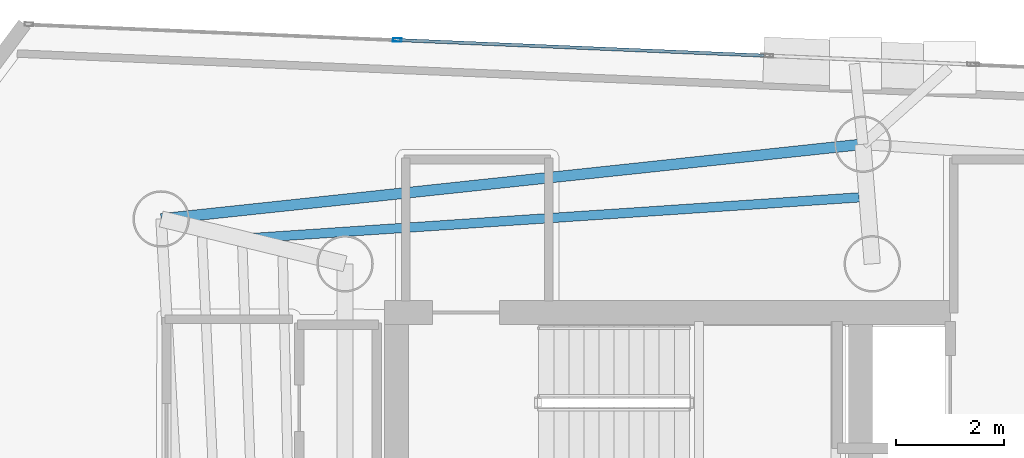
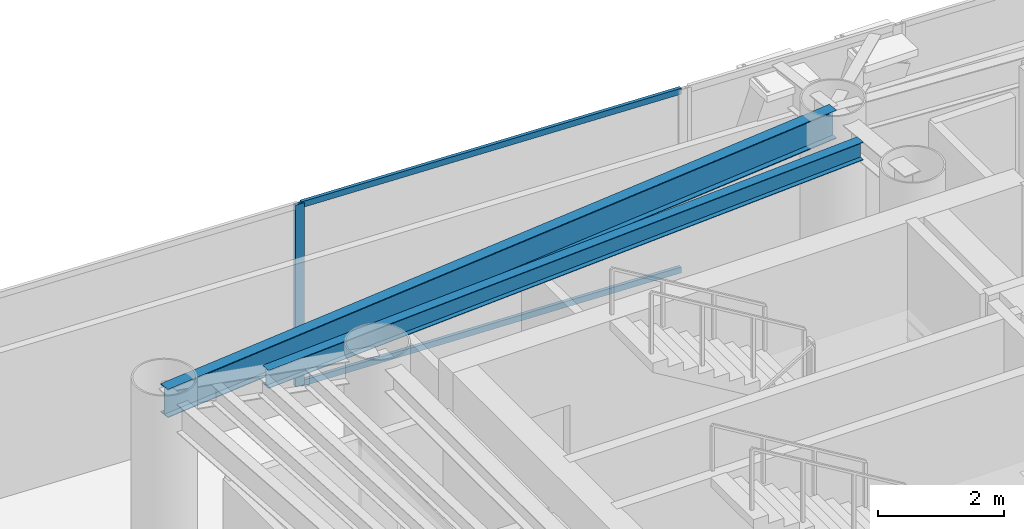
# One storey, part 9 of 21: 3 members, 2 beams, 1 element without a shape of its own.
"""IFC4 building model written with IfcOpenShell, lengths in metres."""

import ifcopenshell
import ifcopenshell.guid

model = None  # the IFC model being written
_history = None  # IfcOwnerHistory: only IFC2X3 demands one
_inside = {}  # id of a spatial element -> (the spatial element, [elements in it])
_under = {}  # id of a project, library or spatial element -> (it, [spatial elements below it])
_declared = {}  # id of a project -> (the project, [libraries it declares])
_typed = {}  # id of a type object -> (the type object, [elements of that type])
_made_of = {}  # id of a material, layer set ... -> (it, [elements and type objects made of it])


def new_model(schema):
    """Start an empty IFC model of exactly this schema.

    Asked for "IFC4X3", IfcOpenShell would pick the latest addendum, in which some entities
    have other attributes; the version numbers below select the first issue.
    IFC2X3 requires an IfcOwnerHistory on every rooted entity: one is made here for all.
    """
    global model, _history
    if schema == "IFC4X3":
        model = ifcopenshell.file(schema_version=(4, 3, 0, 0))
    else:
        model = ifcopenshell.file(schema=schema)
    _inside.clear()
    _under.clear()
    _declared.clear()
    _typed.clear()
    _made_of.clear()
    _history = None
    if model.schema == "IFC2X3":
        org = make("IfcOrganization", Name="unknown")
        user = make(
            "IfcPersonAndOrganization",
            ThePerson=make("IfcPerson", FamilyName="unknown"),
            TheOrganization=org,
        )
        app = make(
            "IfcApplication",
            ApplicationDeveloper=org,
            Version="unknown",
            ApplicationFullName="unknown",
            ApplicationIdentifier="unknown",
        )
        _history = make(
            "IfcOwnerHistory",
            OwningUser=user,
            OwningApplication=app,
            ChangeAction="ADDED",
            CreationDate=0,
        )
    return model


def make(cls, **values):
    """One entity of the class cls with the attributes given. An attribute that is None is left unset."""
    return model.create_entity(
        cls, **{name: value for name, value in values.items() if value is not None}
    )


def rooted(cls, **values):
    """An entity with a GlobalId (a new one), such as an element, a storey or a relation."""
    return make(cls, GlobalId=ifcopenshell.guid.new(), OwnerHistory=_history, **values)


def si_unit(unit_type, name, prefix=None):
    """IfcSIUnit, for example si_unit("LENGTHUNIT", "METRE", prefix="MILLI")."""
    return make("IfcSIUnit", UnitType=unit_type, Prefix=prefix, Name=name)


def assignment(units):
    """IfcUnitAssignment: the units of a project."""
    return None if units is None else make("IfcUnitAssignment", Units=units)


def point(xyz):
    """IfcCartesianPoint."""
    return None if xyz is None else make("IfcCartesianPoint", Coordinates=xyz)


def direction(xyz):
    """IfcDirection."""
    return None if xyz is None else make("IfcDirection", DirectionRatios=xyz)


def frame(location, z_axis=None, x_axis=None):
    """IfcAxis2Placement3D, a coordinate frame: its origin and axes. An axis left out is left unset."""
    return make(
        "IfcAxis2Placement3D",
        Location=point(location),
        Axis=direction(z_axis),
        RefDirection=direction(x_axis),
    )


def frame_2d(location, x_axis=None):
    """IfcAxis2Placement2D, a coordinate frame in the plane: its origin and x axis."""
    return make(
        "IfcAxis2Placement2D", Location=point(location), RefDirection=direction(x_axis)
    )


def origin():
    """The frame at (0, 0, 0) with its axes left unset."""
    return frame((0.0, 0.0, 0.0))


def origin_2d():
    """The frame at (0, 0) in the plane with its x axis left unset."""
    return frame_2d((0.0, 0.0))


def place(relative_to, where):
    """IfcLocalPlacement: puts the frame where relative to a parent placement (None: the world)."""
    return make(
        "IfcLocalPlacement", PlacementRelTo=relative_to, RelativePlacement=where
    )


def context(
    kind, dimensions, precision=None, world=None, true_north=None, identifier=None
):
    """IfcGeometricRepresentationContext, for example the 3D "Model" context."""
    return make(
        "IfcGeometricRepresentationContext",
        ContextIdentifier=identifier,
        ContextType=kind,
        CoordinateSpaceDimension=dimensions,
        Precision=precision,
        WorldCoordinateSystem=world,
        TrueNorth=true_north,
    )


def subcontext(parent, identifier, kind, view, scale=None):
    """IfcGeometricRepresentationSubContext, for example "Body" below "Model"."""
    return make(
        "IfcGeometricRepresentationSubContext",
        ContextIdentifier=identifier,
        ContextType=kind,
        ParentContext=parent,
        TargetScale=scale,
        TargetView=view,
    )


def project(units=None, contexts=None):
    """IfcProject with its units and contexts."""
    return rooted(
        "IfcProject",
        Name="project",
        RepresentationContexts=contexts,
        UnitsInContext=assignment(units),
    )


def spatial(cls, under=None, at=None, **own):
    """A site, building, storey or space (cls), placed at a placement, below another one or the project."""
    s = rooted(cls, ObjectPlacement=at, **own)
    if under is not None:
        _under.setdefault(under.id(), (under, []))[1].append(s)
    return s


def profile(cls, at=None, kind="AREA", **sizes):
    """A parametric profile (cls). Its sizes go by their IFC names, for example OverallWidth=200.0."""
    return make(cls, ProfileType=kind, Position=at, **sizes)


def hollow_rectangle(**sizes):
    """IfcRectangleHollowProfileDef."""
    return profile("IfcRectangleHollowProfileDef", **sizes)


def i_section(**sizes):
    """IfcIShapeProfileDef."""
    return profile("IfcIShapeProfileDef", **sizes)


def extrude(swept, where, along, depth):
    """IfcExtrudedAreaSolid: the profile swept, set in the frame where, extruded along a direction by depth."""
    return make(
        "IfcExtrudedAreaSolid",
        SweptArea=swept,
        Position=where,
        ExtrudedDirection=direction(along),
        Depth=depth,
    )


def shape(context_of_items, identifier, shape_type, items):
    """IfcShapeRepresentation: the items that make up one representation, for example the "Body"."""
    return make(
        "IfcShapeRepresentation",
        ContextOfItems=context_of_items,
        RepresentationIdentifier=identifier,
        RepresentationType=shape_type,
        Items=items,
    )


def material(Name=None, Category=None):
    """IfcMaterial."""
    return make("IfcMaterial", Name=Name, Category=Category)


def layer(
    of_material, thickness, ventilated=None, Name=None, Category=None, Priority=None
):
    """IfcMaterialLayer: one layer of a wall or slab, of a material (None: an air gap)."""
    return make(
        "IfcMaterialLayer",
        Material=of_material,
        LayerThickness=thickness,
        IsVentilated=ventilated,
        Name=Name,
        Category=Category,
        Priority=Priority,
    )


def layer_set(layers, Name=None):
    """IfcMaterialLayerSet."""
    return make("IfcMaterialLayerSet", MaterialLayers=layers, LayerSetName=Name)


def material_profile(
    of_material, cross_section, Name=None, Category=None, Priority=None
):
    """IfcMaterialProfile: a cross section and its material."""
    return make(
        "IfcMaterialProfile",
        Name=Name,
        Material=of_material,
        Profile=cross_section,
        Priority=Priority,
        Category=Category,
    )


def profile_set(profiles, Name=None, composite=None):
    """IfcMaterialProfileSet."""
    return make(
        "IfcMaterialProfileSet",
        Name=Name,
        MaterialProfiles=profiles,
        CompositeProfile=composite,
    )


def made_of(thing, what):
    """Note that an element or type object is made of a material, layer set ...; save() writes the relation."""
    if what is not None:
        _made_of.setdefault(what.id(), (what, []))[1].append(thing)
    return thing


def type_object(cls, material=None, **own):
    """A type object (cls), such as IfcWallType, which elements share."""
    return made_of(rooted(cls, **own), material)


def element(
    cls,
    number,
    at=None,
    inside=None,
    cuts=None,
    type_object=None,
    material=None,
    context=None,
    identifier="Body",
    shape_type=None,
    held_by="IfcProductDefinitionShape",
    body=None,
    shapes=None,
    **own,
):
    """One element of the class cls, such as IfcWall. Its Tag is "e" and its number.

    at: its placement. inside: the storey or other place that contains it. cuts: it is an
    opening in that element (IfcRelVoidsElement). A single representation is given by context,
    identifier, shape_type and body (its items); several are given by shapes. held_by: the class
    of the entity that holds the representations. save() writes the other relations.
    """
    e = rooted(cls, Tag="e%d" % number, ObjectPlacement=at, **own)
    if body is not None:
        shapes = [shape(context, identifier, shape_type, body)]
    if shapes is not None:
        e.Representation = make(held_by, Representations=shapes)
    if inside is not None:
        _inside.setdefault(inside.id(), (inside, []))[1].append(e)
    if cuts is not None:
        rooted(
            "IfcRelVoidsElement", RelatingBuildingElement=cuts, RelatedOpeningElement=e
        )
    if type_object is not None:
        _typed.setdefault(type_object.id(), (type_object, []))[1].append(e)
    return made_of(e, material)


def aggregate(whole, parts):
    """IfcRelAggregates: a whole, such as a stair, and the parts it consists of."""
    return rooted("IfcRelAggregates", RelatingObject=whole, RelatedObjects=parts)


def save(model, path):
    """Write the relations noted so far, then the file.

    IfcRelAggregates (storeys below a building ...), IfcRelContainedInSpatialStructure (elements
    in a storey), IfcRelDefinesByType, IfcRelAssociatesMaterial and IfcRelDeclares: one each for
    every whole, place, type object, material and project.
    """
    for whole, parts in _under.values():
        aggregate(whole, parts)
    for where, things in _inside.values():
        rooted(
            "IfcRelContainedInSpatialStructure",
            RelatedElements=things,
            RelatingStructure=where,
        )
    for kind, things in _typed.values():
        rooted("IfcRelDefinesByType", RelatedObjects=things, RelatingType=kind)
    for what, things in _made_of.values():
        rooted("IfcRelAssociatesMaterial", RelatedObjects=things, RelatingMaterial=what)
    for by, libraries in _declared.values():
        rooted("IfcRelDeclares", RelatingContext=by, RelatedDefinitions=libraries)
    model.write(path)


model = new_model("IFC4")

# Units and contexts
model_context = context("Model", 3, precision=1e-05, world=origin(), true_north=direction((0.0, 1.0)))
body_context = subcontext(model_context, "Body", "Model", "MODEL_VIEW")
ifc_project = project(units=[si_unit("LENGTHUNIT", "METRE"), si_unit("AREAUNIT", "SQUARE_METRE"), si_unit("VOLUMEUNIT", "CUBIC_METRE"), si_unit("PLANEANGLEUNIT", "RADIAN"), si_unit("MASSUNIT", "GRAM", prefix="KILO")], contexts=[model_context])

# Site, building, storey
site_placement = place(None, origin())
site = spatial("IfcSite", under=ifc_project, at=site_placement, CompositionType="ELEMENT")
building_placement = place(site_placement, origin())
building = spatial("IfcBuilding", under=site, at=building_placement, Name="Qianvela Tower", CompositionType="ELEMENT")
storey_placement = place(building_placement, frame((0.0, 0.0, 242.699951171875)))
storey = spatial("IfcBuildingStorey", under=building, at=storey_placement, Name="L62", CompositionType="ELEMENT", Elevation=242.699951171875)

# Beams
ifc_material_1 = material(Name="Steel Q355B", Category="steel")
ifc_material_profile_1 = material_profile(ifc_material_1, i_section(OverallWidth=0.175048828125, OverallDepth=0.35009765625, WebThickness=0.007080078125, FlangeThickness=0.010986328125, at=origin_2d()), Name="HN350x175x7x11")
ifc_profile_set_1 = profile_set([ifc_material_profile_1], Name="Steel Q355B")
beam_type_1 = type_object("IfcBeamType", Name="BM-HN350-JOIST", PredefinedType="JOIST", material=ifc_profile_set_1)
beam_1_placement = place(storey_placement, frame((38.15625, 34.78515625, 3.343017578125), z_axis=(-0.99776569919, -0.066810250112, 0.0), x_axis=(0.066810250112, -0.99776569919, 0.0)))
element("IfcBeam", 1, at=beam_1_placement, inside=storey, type_object=beam_type_1, Name="L62 Secondary Composite Floor Joist 2.2", PredefinedType="JOIST", context=body_context, shape_type="SweptSolid", body=[
    extrude(i_section(OverallWidth=0.175048828125, OverallDepth=0.35009765625, WebThickness=0.007080078125, FlangeThickness=0.010986328125, at=origin_2d()), origin(), (0.0, 0.0, 1.0), 11.35009765625),
])
ifc_material_2 = material(Name="Steel Q355B", Category="steel")
ifc_material_profile_2 = material_profile(ifc_material_2, i_section(OverallWidth=0.199951171875, OverallDepth=0.550048828125, WebThickness=0.010009765625, FlangeThickness=0.01611328125, at=origin_2d()), Name="HN550x200x10x16")
ifc_profile_set_2 = profile_set([ifc_material_profile_2], Name="Steel Q355B")
beam_type_2 = type_object("IfcBeamType", Name="BM-HN550-GIRD", PredefinedType="BEAM", material=ifc_profile_set_2)
beam_2_placement = place(storey_placement, frame((38.22509765625, 35.77294921875, 3.2431640625), z_axis=(-0.994378160395, -0.105887081975, 0.0), x_axis=(0.105887081975, -0.994378160395, 0.0)))
element("IfcBeam", 2, at=beam_2_placement, inside=storey, type_object=beam_type_2, Name="L62 Perimeter Ring Spandrel Girder 2", PredefinedType="BEAM", context=body_context, shape_type="SweptSolid", body=[
    extrude(i_section(OverallWidth=0.199951171875, OverallDepth=0.550048828125, WebThickness=0.010009765625, FlangeThickness=0.01611328125, at=origin_2d()), origin(), (0.0, 0.0, 1.0), 13.116943359375),
])

# Curtain wall, members
ifc_material_3 = material(Name="Anodised Architectural Aluminium and Low-E Glass", Category="aluminium")
ifc_layer = layer(ifc_material_3, 0.159912109375)
ifc_layer_set = layer_set([ifc_layer], Name="Anodised Architectural Aluminium and Low-E Glass")
curtain_wall_type = type_object("IfcCurtainWallType", Name="CW-COLIV-Z56", PredefinedType="USERDEFINED", material=ifc_layer_set)
curtain_wall_placement = place(storey_placement, origin())
curtain_wall = element("IfcCurtainWall", 3, at=curtain_wall_placement, inside=storey, type_object=curtain_wall_type, Name="L62 CW-COLIV-Z56 Curtain Wall 02C", ObjectType="CURTAIN_WALL_SYSTEM", PredefinedType="USERDEFINED")
ifc_material_4 = material(Name="Anodised Architectural Aluminium 6063-T6", Category="aluminium")
ifc_material_profile_3 = material_profile(ifc_material_4, hollow_rectangle(XDim=0.06494140625, YDim=0.159912109375, WallThickness=0.0048828125, at=origin_2d()), Name="ALU-MULL-65x160")
ifc_profile_set_3 = profile_set([ifc_material_profile_3], Name="Anodised Architectural Aluminium 6063-T6")
member_type_1 = type_object("IfcMemberType", Name="CW-COLIV-Z56-MULL", PredefinedType="MULLION", material=ifc_profile_set_3)
member_1_placement = place(storey_placement, frame((29.57080078125, 37.710205078125, 0.0), z_axis=(0.0, 0.0, 1.0), x_axis=(-0.042454565017, -0.999098398512, 0.0)))
member_1 = element("IfcMember", 4, at=member_1_placement, type_object=member_type_1, Name="CW-5 mullion 2", PredefinedType="MULLION", context=body_context, shape_type="SweptSolid", body=[
    extrude(hollow_rectangle(XDim=0.06494140625, YDim=0.159912109375, WallThickness=0.0048828125, at=origin_2d()), origin(), (0.0, 0.0, 1.0), 3.52001953125),
])
ifc_material_5 = material(Name="Anodised Architectural Aluminium 6063-T6", Category="aluminium")
ifc_material_profile_4 = material_profile(ifc_material_5, hollow_rectangle(XDim=0.06005859375, YDim=0.114990234375, WallThickness=0.00390625, at=origin_2d()), Name="ALU-TRAN-60x115")
ifc_profile_set_4 = profile_set([ifc_material_profile_4], Name="Anodised Architectural Aluminium 6063-T6")
member_type_2 = type_object("IfcMemberType", Name="CW-COLIV-Z56-TRAN", PredefinedType="USERDEFINED", material=ifc_profile_set_4)
member_2_placement = place(storey_placement, frame((36.384765625, 37.420654296875, 0.030029296875), z_axis=(-0.999098893724, 0.042442909407, 0.0), x_axis=(-0.042442909407, -0.999098893724, 0.0)))
member_2 = element("IfcMember", 5, at=member_2_placement, type_object=member_type_2, Name="CW-5 transom 1.1", ObjectType="TRANSOM", PredefinedType="USERDEFINED", context=body_context, shape_type="SweptSolid", body=[
    extrude(hollow_rectangle(XDim=0.06005859375, YDim=0.114990234375, WallThickness=0.00390625, at=origin_2d()), origin(), (0.0, 0.0, 1.0), 6.78759765625),
])
member_3_placement = place(storey_placement, frame((36.384765625, 37.420654296875, 3.489990234375), z_axis=(-0.999098893724, 0.042442909407, 0.0), x_axis=(-0.042442909407, -0.999098893724, 0.0)))
member_3 = element("IfcMember", 6, at=member_3_placement, type_object=member_type_2, Name="CW-5 transom 1.2", ObjectType="TRANSOM", PredefinedType="USERDEFINED", context=body_context, shape_type="SweptSolid", body=[
    extrude(hollow_rectangle(XDim=0.06005859375, YDim=0.114990234375, WallThickness=0.00390625, at=origin_2d()), origin(), (0.0, 0.0, 1.0), 6.78759765625),
])
aggregate(curtain_wall, [member_1, member_2, member_3])

save(model, "model.ifc")
